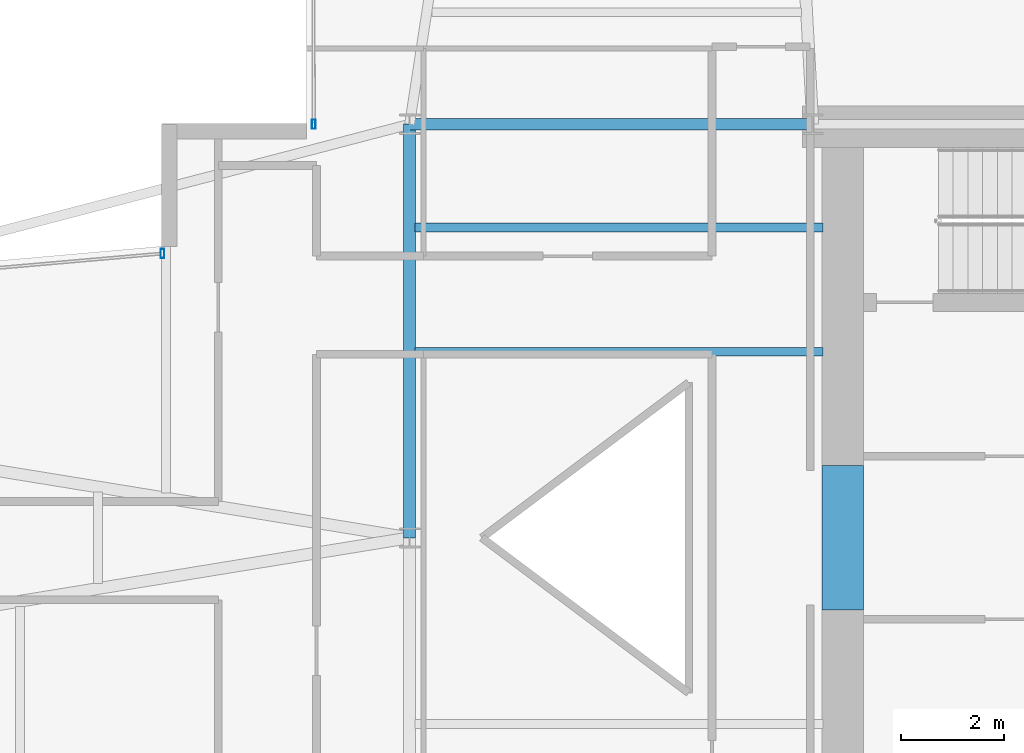
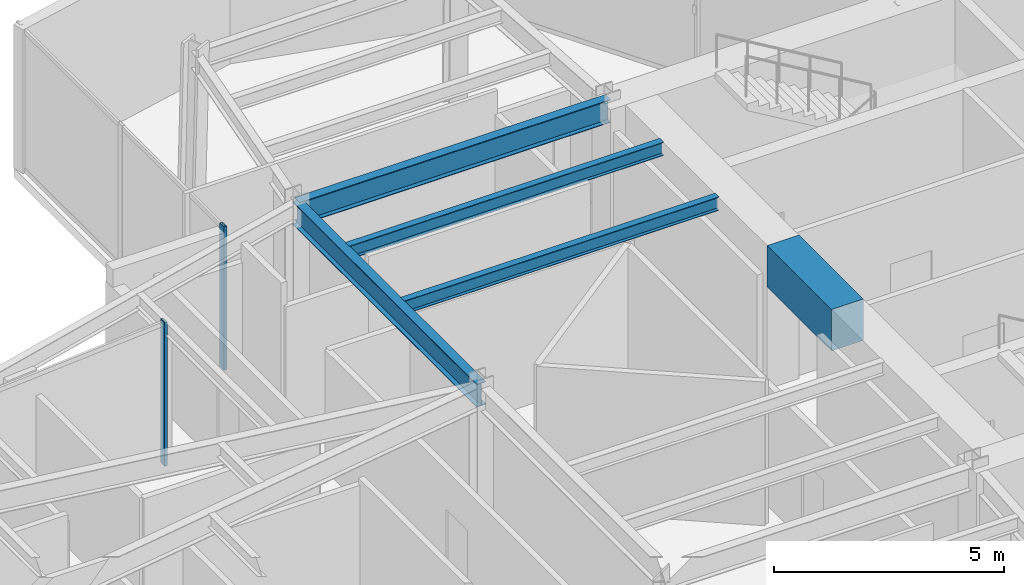
# One storey, part 10 of 25: 5 beams, 2 members, 2 elements without a shape of their own.
"""IFC4 building model written with IfcOpenShell, lengths in metres."""

from ifc_helpers import new_model, si_unit, direction, frame, origin, origin_2d, place, context, subcontext, project, spatial, rectangle, hollow_rectangle, i_section, extrude, material, layer, layer_set, material_profile, profile_set, type_object, element, aggregate, save


model = new_model("IFC4")

# Units and contexts
model_context = context("Model", 3, precision=1e-05, world=origin(), true_north=direction((0.0, 1.0)))
body_context = subcontext(model_context, "Body", "Model", "MODEL_VIEW")
ifc_project = project(units=[si_unit("LENGTHUNIT", "METRE"), si_unit("AREAUNIT", "SQUARE_METRE"), si_unit("VOLUMEUNIT", "CUBIC_METRE"), si_unit("PLANEANGLEUNIT", "RADIAN"), si_unit("MASSUNIT", "GRAM", prefix="KILO")], contexts=[model_context])

# Site, building, storey
site_placement = place(None, origin())
site = spatial("IfcSite", under=ifc_project, at=site_placement, CompositionType="ELEMENT")
building_placement = place(site_placement, origin())
building = spatial("IfcBuilding", under=site, at=building_placement, Name="Veymaron Broadcast Tower", CompositionType="ELEMENT")
storey_placement = place(building_placement, frame((0.0, 0.0, 173.550048828125)))
storey = spatial("IfcBuildingStorey", under=building, at=storey_placement, Name="L40", CompositionType="ELEMENT", Elevation=173.550048828125)

# Beams
ifc_material_1 = material(Name="Concrete C70/85", Category="concrete")
ifc_material_profile_1 = material_profile(ifc_material_1, rectangle(XDim=0.800048828125, YDim=1.10009765625, at=origin_2d()), Name="RC800X1100")
ifc_profile_set_1 = profile_set([ifc_material_profile_1], Name="Concrete C70/85")
beam_type_1 = type_object("IfcBeamType", Name="BM-CB1", PredefinedType="LINTEL", material=ifc_profile_set_1)
beam_1_placement = place(storey_placement, frame((39.580078125, 22.60009765625, 3.260009765625), z_axis=(0.0, 1.0, 0.0), x_axis=(-1.0, 0.0, 0.0)))
element("IfcBeam", 1, at=beam_1_placement, inside=storey, type_object=beam_type_1, Name="L40 Core Wall west coupling beam", PredefinedType="LINTEL", context=body_context, shape_type="SweptSolid", body=[
    extrude(rectangle(XDim=0.800048828125, YDim=1.10009765625, at=origin_2d()), origin(), (0.0, 0.0, 1.0), 2.7998046875),
])
ifc_material_2 = material(Name="Structural steel ASTM A992 Gr 50", Category="steel")
ifc_material_profile_2 = material_profile(ifc_material_2, i_section(OverallWidth=0.22802734375, OverallDepth=0.60791015625, WebThickness=0.01123046875, FlangeThickness=0.017333984375, at=origin_2d()), Name="W610X113")
ifc_profile_set_2 = profile_set([ifc_material_profile_2], Name="Structural steel ASTM A992 Gr 50")
beam_type_2 = type_object("IfcBeamType", Name="BM-FG2", PredefinedType="BEAM", material=ifc_profile_set_2)
beam_2_placement = place(storey_placement, frame((31.199951171875, 24.0, 3.505859375), z_axis=(0.0, 1.0, 0.0), x_axis=(-1.0, 0.0, 0.0)))
element("IfcBeam", 2, at=beam_2_placement, inside=storey, type_object=beam_type_2, Name="L40 primary structural floor girder", PredefinedType="BEAM", context=body_context, shape_type="SweptSolid", body=[
    extrude(i_section(OverallWidth=0.22802734375, OverallDepth=0.60791015625, WebThickness=0.01123046875, FlangeThickness=0.017333984375, at=origin_2d()), origin(), (0.0, 0.0, 1.0), 8.0),
])
beam_3_placement = place(storey_placement, frame((31.199951171875, 32.0, 3.505859375), z_axis=(1.0, 0.0, 0.0), x_axis=(0.0, 1.0, 0.0)))
element("IfcBeam", 3, at=beam_3_placement, inside=storey, type_object=beam_type_2, Name="L40 primary structural floor girder", PredefinedType="BEAM", context=body_context, shape_type="SweptSolid", body=[
    extrude(i_section(OverallWidth=0.22802734375, OverallDepth=0.60791015625, WebThickness=0.01123046875, FlangeThickness=0.017333984375, at=origin_2d()), origin(), (0.0, 0.0, 1.0), 7.800048828125),
])
ifc_material_profile_3 = material_profile(ifc_material_2, i_section(OverallWidth=0.1708984375, OverallDepth=0.35498046875, WebThickness=0.007080078125, FlangeThickness=0.01171875, at=origin_2d()), Name="W360X51")
ifc_profile_set_3 = profile_set([ifc_material_profile_3], Name="Structural steel ASTM A992 Gr 50")
beam_type_3 = type_object("IfcBeamType", Name="BM-JS2", PredefinedType="JOIST", material=ifc_profile_set_3)
for number, where, z_axis, x_axis, name in (
    (4, (31.300048828125, 27.60009765625, 3.632568359375), (1.0, 0.0, 0.0), (0.0, 1.0, 0.0), "L40 Hub secondary joist 3"),
    (5, (31.300048828125, 30.0, 3.632568359375), (1.0, 0.0, 0.0), (0.0, 1.0, 0.0), "L40 Hub secondary joist 4"),
):
    element("IfcBeam", number, at=place(storey_placement, frame(where, z_axis=z_axis, x_axis=x_axis)), inside=storey, type_object=beam_type_3, Name=name, PredefinedType="JOIST", context=body_context, shape_type="SweptSolid", body=[
        extrude(i_section(OverallWidth=0.1708984375, OverallDepth=0.35498046875, WebThickness=0.007080078125, FlangeThickness=0.01171875, at=origin_2d()), origin(), (0.0, 0.0, 1.0), 7.89990234375),
    ])

# Curtain wall, member
ifc_material_3 = material(Name="Anodised aluminium AA 6063-T6 and laminated low-E dark glass", Category="aluminium")
ifc_layer = layer(ifc_material_3, 0.179931640625)
ifc_layer_set = layer_set([ifc_layer], Name="Anodised aluminium AA 6063-T6 and laminated low-E dark glass")
curtain_wall_type = type_object("IfcCurtainWallType", Name="CW-SYS-03", PredefinedType="NOTDEFINED", material=ifc_layer_set)
curtain_wall_1_placement = place(storey_placement, origin())
curtain_wall_1 = element("IfcCurtainWall", 6, at=curtain_wall_1_placement, inside=storey, type_object=curtain_wall_type, Name="L40 dark-glass curtain wall CW-L40-E8-1", PredefinedType="NOTDEFINED")
ifc_material_4 = material(Name="Anodised aluminium AA 6063-T6", Category="aluminium")
ifc_material_profile_4 = material_profile(ifc_material_4, hollow_rectangle(XDim=0.074951171875, YDim=0.179931640625, WallThickness=0.0048828125, at=origin_2d()), Name="AL180X75X5")
ifc_profile_set_4 = profile_set([ifc_material_profile_4], Name="Anodised aluminium AA 6063-T6")
member_type = type_object("IfcMemberType", Name="CW-MUL-02", PredefinedType="MULLION", material=ifc_profile_set_4)
member_1_placement = place(storey_placement, frame((29.3466796875, 32.000244140625, 0.0), z_axis=(0.0, 0.0, 1.0), x_axis=(1.0, 0.0, 0.0)))
member_1 = element("IfcMember", 7, at=member_1_placement, type_object=member_type, Name="CW-L40-E8-1 mullion 2", PredefinedType="MULLION", context=body_context, shape_type="SweptSolid", body=[
    extrude(hollow_rectangle(XDim=0.074951171875, YDim=0.179931640625, WallThickness=0.0048828125, at=origin_2d()), origin(), (0.0, 0.0, 1.0), 3.81005859375),
])
aggregate(curtain_wall_1, [member_1])

curtain_wall_2_placement = place(storey_placement, origin())
curtain_wall_2 = element("IfcCurtainWall", 8, at=curtain_wall_2_placement, inside=storey, type_object=curtain_wall_type, Name="L40 dark-glass curtain wall CW-L40-E11-1", PredefinedType="NOTDEFINED")
member_2_placement = place(storey_placement, frame((26.420166015625, 29.49951171875, 0.0), z_axis=(0.0, 0.0, 1.0), x_axis=(1.0, 0.0, 0.0)))
member_2 = element("IfcMember", 9, at=member_2_placement, type_object=member_type, Name="CW-L40-E11-1 mullion 0", PredefinedType="MULLION", context=body_context, shape_type="SweptSolid", body=[
    extrude(hollow_rectangle(XDim=0.074951171875, YDim=0.179931640625, WallThickness=0.0048828125, at=origin_2d()), origin(), (0.0, 0.0, 1.0), 3.81005859375),
])
aggregate(curtain_wall_2, [member_2])

save(model, "model.ifc")
